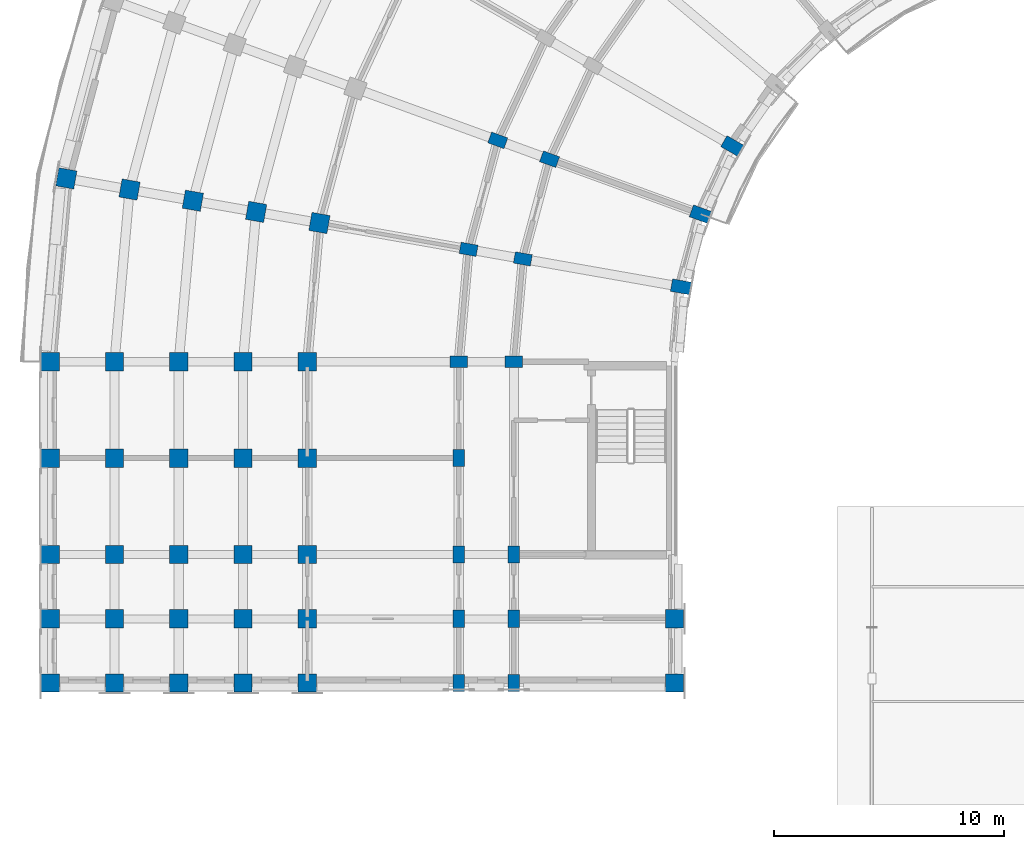
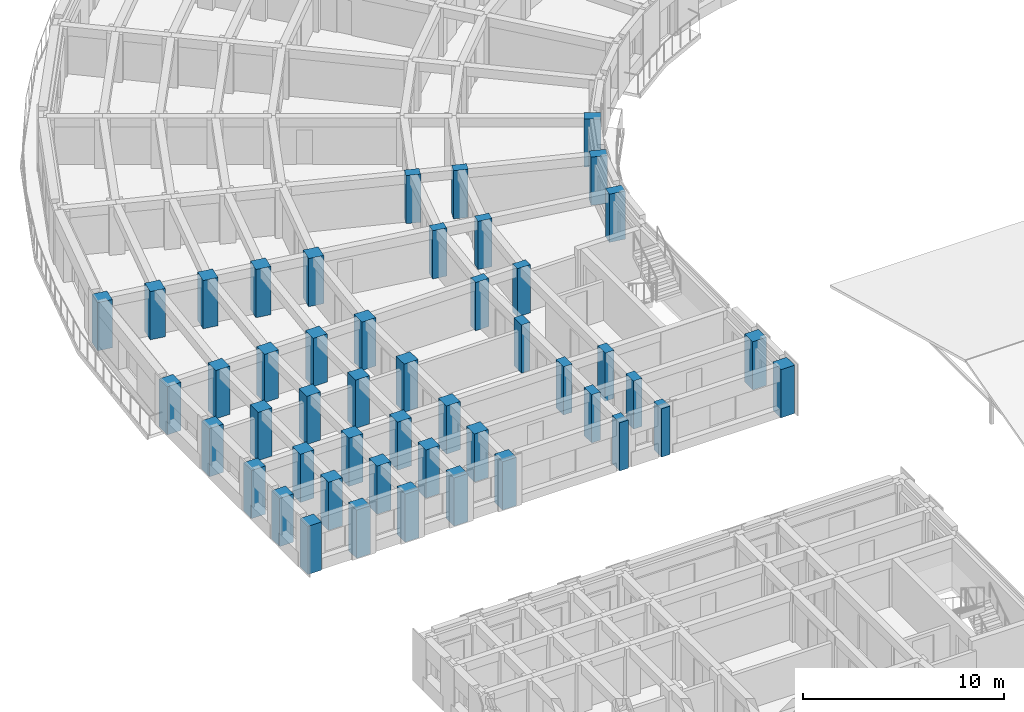
# One storey, part 3 of 76: 48 columns.
"""IFC4 building model written with IfcOpenShell, lengths in metres."""

from ifc_helpers import new_model, si_unit, direction, frame, origin, origin_2d, place, context, subcontext, project, spatial, rectangle, extrude, material, material_profile, profile_set, type_object, element, save


model = new_model("IFC4")

# Units and contexts
model_context = context("Model", 3, precision=1e-05, world=origin(), true_north=direction((0.0, 1.0)))
body_context = subcontext(model_context, "Body", "Model", "MODEL_VIEW")
ifc_project = project(units=[si_unit("LENGTHUNIT", "METRE"), si_unit("AREAUNIT", "SQUARE_METRE"), si_unit("VOLUMEUNIT", "CUBIC_METRE"), si_unit("PLANEANGLEUNIT", "RADIAN"), si_unit("MASSUNIT", "GRAM", prefix="KILO")], contexts=[model_context])

# Site, building, storey
site_placement = place(None, origin())
site = spatial("IfcSite", under=ifc_project, at=site_placement, CompositionType="ELEMENT")
building_placement = place(site_placement, origin())
building = spatial("IfcBuilding", under=site, at=building_placement, Name="Kiranvali Square Residences", CompositionType="ELEMENT")
storey_placement = place(building_placement, frame((0.0, 0.0, 8.699951171875)))
storey = spatial("IfcBuildingStorey", under=building, at=storey_placement, Name="L02", CompositionType="ELEMENT", Elevation=8.699951171875)

# Columns
ifc_material_1 = material(Name="Concrete M45 (45 MPa)", Category="concrete")
ifc_material_profile_1 = material_profile(ifc_material_1, rectangle(XDim=0.5, YDim=0.75, at=origin_2d()), Name="RC 750x500")
ifc_profile_set_1 = profile_set([ifc_material_profile_1], Name="Concrete M45 (45 MPa)")
column_type_1 = type_object("IfcColumnType", Name="COL-M45-750x500", PredefinedType="COLUMN", material=ifc_profile_set_1)
for number, where, z_axis, x_axis, name in (
    (1, (23.955810546875, 96.6240234375, 0.0), (0.0, 0.0, 1.0), (0.342020143326, 0.939692620786, 0.0), "Block A L02 radial column A07-R1"),
    (2, (21.70068359375, 97.445068359375, 0.0), (0.0, 0.0, 1.0), (0.342020143326, 0.939692620786, 0.0), "Block A L02 radial column A07-R2"),
    (3, (22.7919921875, 92.280029296875, 0.0), (0.0, 0.0, 1.0), (0.173648177667, 0.984807753012, 0.0), "Block A L02 radial column A08-R1"),
    (4, (20.428466796875, 92.69677734375, 0.0), (0.0, 0.0, 1.0), (0.173648177667, 0.984807753012, 0.0), "Block A L02 radial column A08-R2"),
    (5, (22.39990234375, 87.800048828125, 0.0), (0.0, 0.0, 1.0), (0.0, 1.0, 0.0), "Block A L02 radial column A09-R1"),
    (6, (20.0, 87.800048828125, 0.0), (0.0, 0.0, 1.0), (0.0, 1.0, 0.0), "Block A L02 radial column A09-R2"),
    (7, (20.0, 83.60009765625, 0.0), (0.0, 0.0, 1.0), (1.0, 0.0, 0.0), "Block A L02 Arm 2 mid-core column V0-R2"),
    (8, (22.39990234375, 79.39990234375, 0.0), (0.0, 0.0, 1.0), (1.0, 0.0, 0.0), "Block A L02 Arm 2 column V1-R1"),
    (9, (20.0, 79.39990234375, 0.0), (0.0, 0.0, 1.0), (1.0, 0.0, 0.0), "Block A L02 Arm 2 column V1-R2"),
    (10, (22.39990234375, 76.60009765625, 0.0), (0.0, 0.0, 1.0), (1.0, 0.0, 0.0), "Block A L02 Arm 2 column V2-R1"),
    (11, (20.0, 76.60009765625, 0.0), (0.0, 0.0, 1.0), (1.0, 0.0, 0.0), "Block A L02 Arm 2 column V2-R2"),
    (12, (22.39990234375, 73.800048828125, 0.0), (0.0, 0.0, 1.0), (1.0, 0.0, 0.0), "Block A L02 Arm 2 column V3-R1"),
    (13, (20.0, 73.800048828125, 0.0), (0.0, 0.0, 1.0), (1.0, 0.0, 0.0), "Block A L02 Arm 2 column V3-R2"),
):
    element("IfcColumn", number, at=place(storey_placement, frame(where, z_axis=z_axis, x_axis=x_axis)), inside=storey, type_object=column_type_1, Name=name, PredefinedType="COLUMN", context=body_context, shape_type="SweptSolid", body=[
        extrude(rectangle(XDim=0.5, YDim=0.75, at=origin_2d()), origin(), (0.0, 0.0, 1.0), 2.929931640625),
    ])
ifc_material_2 = material(Name="Concrete M50 (50 MPa)", Category="concrete")
ifc_material_profile_2 = material_profile(ifc_material_2, rectangle(XDim=0.800048828125, YDim=0.800048828125, at=origin_2d()), Name="RC 800x800")
ifc_profile_set_2 = profile_set([ifc_material_profile_2], Name="Concrete M50 (50 MPa)")
column_type_2 = type_object("IfcColumnType", Name="COL-M50-800", PredefinedType="COLUMN", material=ifc_profile_set_2)
for number, where, z_axis, x_axis, name in (
    (14, (13.9287109375, 93.843017578125, 0.0), (0.0, 0.0, 1.0), (0.173648177667, 0.984807753012, 0.0), "Block A L02 radial column A08-R3"),
    (15, (11.171142578125, 94.3291015625, 0.0), (0.0, 0.0, 1.0), (0.173648177667, 0.984807753012, 0.0), "Block A L02 radial column A08-R4"),
    (16, (8.413818359375, 94.8154296875, 0.0), (0.0, 0.0, 1.0), (0.173648177667, 0.984807753012, 0.0), "Block A L02 radial column A08-R5"),
    (17, (5.65625, 95.301513671875, 0.0), (0.0, 0.0, 1.0), (0.173648177667, 0.984807753012, 0.0), "Block A L02 radial column A08-R6"),
    (18, (2.89892578125, 95.787841796875, 0.0), (0.0, 0.0, 1.0), (0.173648177667, 0.984807753012, 0.0), "Block A L02 radial column A08-R7"),
    (19, (13.39990234375, 87.800048828125, 0.0), (0.0, 0.0, 1.0), (0.0, 1.0, 0.0), "Block A L02 radial column A09-R3"),
    (20, (10.60009765625, 87.800048828125, 0.0), (0.0, 0.0, 1.0), (0.0, 1.0, 0.0), "Block A L02 radial column A09-R4"),
    (21, (7.800048828125, 87.800048828125, 0.0), (0.0, 0.0, 1.0), (0.0, 1.0, 0.0), "Block A L02 radial column A09-R5"),
    (22, (5.0, 87.800048828125, 0.0), (0.0, 0.0, 1.0), (0.0, 1.0, 0.0), "Block A L02 radial column A09-R6"),
    (23, (2.199951171875, 87.800048828125, 0.0), (0.0, 0.0, 1.0), (0.0, 1.0, 0.0), "Block A L02 radial column A09-R7"),
    (24, (13.39990234375, 83.60009765625, 0.0), (0.0, 0.0, 1.0), (1.0, 0.0, 0.0), "Block A L02 Arm 2 mid-core column V0-R3"),
    (25, (10.60009765625, 83.60009765625, 0.0), (0.0, 0.0, 1.0), (1.0, 0.0, 0.0), "Block A L02 Arm 2 mid-core column V0-R4"),
    (26, (7.800048828125, 83.60009765625, 0.0), (0.0, 0.0, 1.0), (1.0, 0.0, 0.0), "Block A L02 Arm 2 mid-core column V0-R5"),
    (27, (5.0, 83.60009765625, 0.0), (0.0, 0.0, 1.0), (1.0, 0.0, 0.0), "Block A L02 Arm 2 mid-core column V0-R6"),
    (28, (2.199951171875, 83.60009765625, 0.0), (0.0, 0.0, 1.0), (1.0, 0.0, 0.0), "Block A L02 Arm 2 mid-core column V0-R7"),
    (29, (13.39990234375, 79.39990234375, 0.0), (0.0, 0.0, 1.0), (1.0, 0.0, 0.0), "Block A L02 Arm 2 column V1-R3"),
    (30, (10.60009765625, 79.39990234375, 0.0), (0.0, 0.0, 1.0), (1.0, 0.0, 0.0), "Block A L02 Arm 2 column V1-R4"),
    (31, (7.800048828125, 79.39990234375, 0.0), (0.0, 0.0, 1.0), (1.0, 0.0, 0.0), "Block A L02 Arm 2 column V1-R5"),
    (32, (5.0, 79.39990234375, 0.0), (0.0, 0.0, 1.0), (1.0, 0.0, 0.0), "Block A L02 Arm 2 column V1-R6"),
    (33, (2.199951171875, 79.39990234375, 0.0), (0.0, 0.0, 1.0), (1.0, 0.0, 0.0), "Block A L02 Arm 2 column V1-R7"),
    (34, (29.39990234375, 76.60009765625, 0.0), (0.0, 0.0, 1.0), (1.0, 0.0, 0.0), "Block A L02 Arm 2 column V2-R0"),
    (35, (13.39990234375, 76.60009765625, 0.0), (0.0, 0.0, 1.0), (1.0, 0.0, 0.0), "Block A L02 Arm 2 column V2-R3"),
    (36, (10.60009765625, 76.60009765625, 0.0), (0.0, 0.0, 1.0), (1.0, 0.0, 0.0), "Block A L02 Arm 2 column V2-R4"),
    (37, (7.800048828125, 76.60009765625, 0.0), (0.0, 0.0, 1.0), (1.0, 0.0, 0.0), "Block A L02 Arm 2 column V2-R5"),
    (38, (5.0, 76.60009765625, 0.0), (0.0, 0.0, 1.0), (1.0, 0.0, 0.0), "Block A L02 Arm 2 column V2-R6"),
    (39, (2.199951171875, 76.60009765625, 0.0), (0.0, 0.0, 1.0), (1.0, 0.0, 0.0), "Block A L02 Arm 2 column V2-R7"),
    (40, (29.39990234375, 73.800048828125, 0.0), (0.0, 0.0, 1.0), (1.0, 0.0, 0.0), "Block A L02 Arm 2 column V3-R0"),
    (41, (13.39990234375, 73.800048828125, 0.0), (0.0, 0.0, 1.0), (1.0, 0.0, 0.0), "Block A L02 Arm 2 column V3-R3"),
    (42, (10.60009765625, 73.800048828125, 0.0), (0.0, 0.0, 1.0), (1.0, 0.0, 0.0), "Block A L02 Arm 2 column V3-R4"),
    (43, (7.800048828125, 73.800048828125, 0.0), (0.0, 0.0, 1.0), (1.0, 0.0, 0.0), "Block A L02 Arm 2 column V3-R5"),
    (44, (5.0, 73.800048828125, 0.0), (0.0, 0.0, 1.0), (1.0, 0.0, 0.0), "Block A L02 Arm 2 column V3-R6"),
    (45, (2.199951171875, 73.800048828125, 0.0), (0.0, 0.0, 1.0), (1.0, 0.0, 0.0), "Block A L02 Arm 2 column V3-R7"),
):
    element("IfcColumn", number, at=place(storey_placement, frame(where, z_axis=z_axis, x_axis=x_axis)), inside=storey, type_object=column_type_2, Name=name, PredefinedType="COLUMN", context=body_context, shape_type="SweptSolid", body=[
        extrude(rectangle(XDim=0.800048828125, YDim=0.800048828125, at=origin_2d()), origin(), (0.0, 0.0, 1.0), 2.929931640625),
    ])
ifc_material_profile_3 = material_profile(ifc_material_2, rectangle(XDim=0.550048828125, YDim=0.85009765625, at=origin_2d()), Name="RC 850x550")
ifc_profile_set_3 = profile_set([ifc_material_profile_3], Name="Concrete M50 (50 MPa)")
column_type_3 = type_object("IfcColumnType", Name="COL-M50-850x550", PredefinedType="COLUMN", material=ifc_profile_set_3)
for number, where, z_axis, x_axis, name in (
    (46, (31.918701171875, 97.199951171875, 0.0), (0.0, 0.0, 1.0), (0.5, 0.866025403784, 0.0), "Block A L02 radial column A06-R0"),
    (47, (30.53369140625, 94.22998046875, 0.0), (0.0, 0.0, 1.0), (0.342020143326, 0.939692620786, 0.0), "Block A L02 radial column A07-R0"),
    (48, (29.685546875, 91.064697265625, 0.0), (0.0, 0.0, 1.0), (0.173648177667, 0.984807753012, 0.0), "Block A L02 radial column A08-R0"),
):
    element("IfcColumn", number, at=place(storey_placement, frame(where, z_axis=z_axis, x_axis=x_axis)), inside=storey, type_object=column_type_3, Name=name, PredefinedType="COLUMN", context=body_context, shape_type="SweptSolid", body=[
        extrude(rectangle(XDim=0.550048828125, YDim=0.85009765625, at=origin_2d()), origin(), (0.0, 0.0, 1.0), 2.929931640625),
    ])

save(model, "model.ifc")
